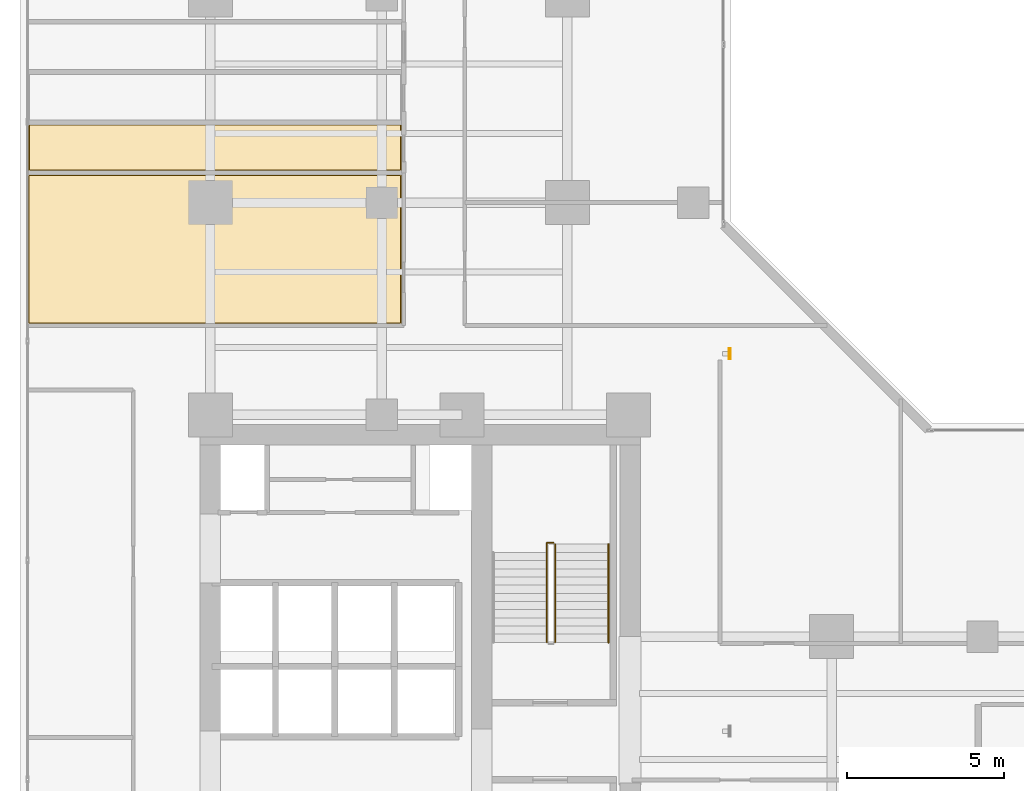
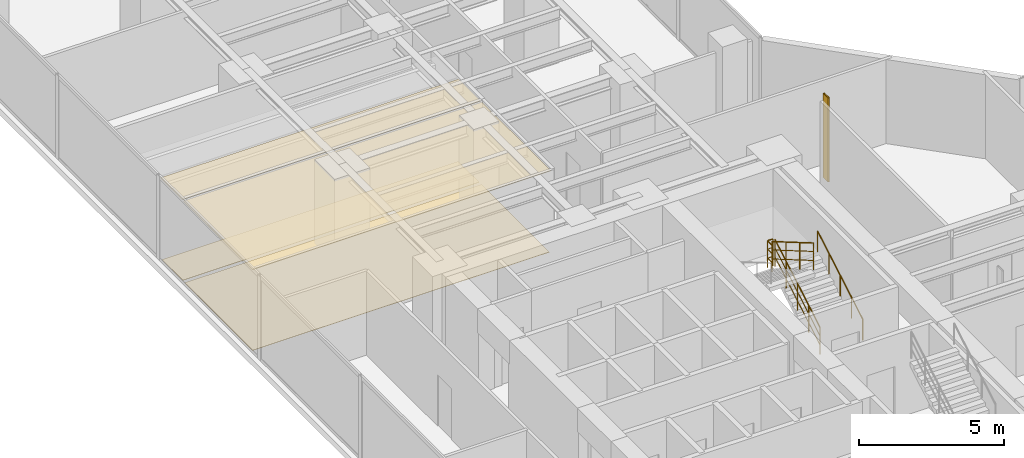
# One storey, part 24 of 26: 4 coverings, 4 railings, 1 shading device.
"""IFC4 building model written with IfcOpenShell, lengths in metres."""

import ifcopenshell
import ifcopenshell.guid

model = None  # the IFC model being written
_history = None  # IfcOwnerHistory: only IFC2X3 demands one
_inside = {}  # id of a spatial element -> (the spatial element, [elements in it])
_under = {}  # id of a project, library or spatial element -> (it, [spatial elements below it])
_declared = {}  # id of a project -> (the project, [libraries it declares])
_typed = {}  # id of a type object -> (the type object, [elements of that type])
_made_of = {}  # id of a material, layer set ... -> (it, [elements and type objects made of it])


def new_model(schema):
    """Start an empty IFC model of exactly this schema.

    Asked for "IFC4X3", IfcOpenShell would pick the latest addendum, in which some entities
    have other attributes; the version numbers below select the first issue.
    IFC2X3 requires an IfcOwnerHistory on every rooted entity: one is made here for all.
    """
    global model, _history
    if schema == "IFC4X3":
        model = ifcopenshell.file(schema_version=(4, 3, 0, 0))
    else:
        model = ifcopenshell.file(schema=schema)
    _inside.clear()
    _under.clear()
    _declared.clear()
    _typed.clear()
    _made_of.clear()
    _history = None
    if model.schema == "IFC2X3":
        org = make("IfcOrganization", Name="unknown")
        user = make(
            "IfcPersonAndOrganization",
            ThePerson=make("IfcPerson", FamilyName="unknown"),
            TheOrganization=org,
        )
        app = make(
            "IfcApplication",
            ApplicationDeveloper=org,
            Version="unknown",
            ApplicationFullName="unknown",
            ApplicationIdentifier="unknown",
        )
        _history = make(
            "IfcOwnerHistory",
            OwningUser=user,
            OwningApplication=app,
            ChangeAction="ADDED",
            CreationDate=0,
        )
    return model


def make(cls, **values):
    """One entity of the class cls with the attributes given. An attribute that is None is left unset."""
    return model.create_entity(
        cls, **{name: value for name, value in values.items() if value is not None}
    )


def rooted(cls, **values):
    """An entity with a GlobalId (a new one), such as an element, a storey or a relation."""
    return make(cls, GlobalId=ifcopenshell.guid.new(), OwnerHistory=_history, **values)


def si_unit(unit_type, name, prefix=None):
    """IfcSIUnit, for example si_unit("LENGTHUNIT", "METRE", prefix="MILLI")."""
    return make("IfcSIUnit", UnitType=unit_type, Prefix=prefix, Name=name)


def assignment(units):
    """IfcUnitAssignment: the units of a project."""
    return None if units is None else make("IfcUnitAssignment", Units=units)


def point(xyz):
    """IfcCartesianPoint."""
    return None if xyz is None else make("IfcCartesianPoint", Coordinates=xyz)


def direction(xyz):
    """IfcDirection."""
    return None if xyz is None else make("IfcDirection", DirectionRatios=xyz)


def frame(location, z_axis=None, x_axis=None):
    """IfcAxis2Placement3D, a coordinate frame: its origin and axes. An axis left out is left unset."""
    return make(
        "IfcAxis2Placement3D",
        Location=point(location),
        Axis=direction(z_axis),
        RefDirection=direction(x_axis),
    )


def frame_2d(location, x_axis=None):
    """IfcAxis2Placement2D, a coordinate frame in the plane: its origin and x axis."""
    return make(
        "IfcAxis2Placement2D", Location=point(location), RefDirection=direction(x_axis)
    )


def origin():
    """The frame at (0, 0, 0) with its axes left unset."""
    return frame((0.0, 0.0, 0.0))


def origin_2d():
    """The frame at (0, 0) in the plane with its x axis left unset."""
    return frame_2d((0.0, 0.0))


def place(relative_to, where):
    """IfcLocalPlacement: puts the frame where relative to a parent placement (None: the world)."""
    return make(
        "IfcLocalPlacement", PlacementRelTo=relative_to, RelativePlacement=where
    )


def context(
    kind, dimensions, precision=None, world=None, true_north=None, identifier=None
):
    """IfcGeometricRepresentationContext, for example the 3D "Model" context."""
    return make(
        "IfcGeometricRepresentationContext",
        ContextIdentifier=identifier,
        ContextType=kind,
        CoordinateSpaceDimension=dimensions,
        Precision=precision,
        WorldCoordinateSystem=world,
        TrueNorth=true_north,
    )


def subcontext(parent, identifier, kind, view, scale=None):
    """IfcGeometricRepresentationSubContext, for example "Body" below "Model"."""
    return make(
        "IfcGeometricRepresentationSubContext",
        ContextIdentifier=identifier,
        ContextType=kind,
        ParentContext=parent,
        TargetScale=scale,
        TargetView=view,
    )


def project(units=None, contexts=None):
    """IfcProject with its units and contexts."""
    return rooted(
        "IfcProject",
        Name="project",
        RepresentationContexts=contexts,
        UnitsInContext=assignment(units),
    )


def spatial(cls, under=None, at=None, **own):
    """A site, building, storey or space (cls), placed at a placement, below another one or the project."""
    s = rooted(cls, ObjectPlacement=at, **own)
    if under is not None:
        _under.setdefault(under.id(), (under, []))[1].append(s)
    return s


def polyline(points):
    """IfcPolyline through the points."""
    return make("IfcPolyline", Points=[point(p) for p in points])


def profile(cls, at=None, kind="AREA", **sizes):
    """A parametric profile (cls). Its sizes go by their IFC names, for example OverallWidth=200.0."""
    return make(cls, ProfileType=kind, Position=at, **sizes)


def hollow_rectangle(**sizes):
    """IfcRectangleHollowProfileDef."""
    return profile("IfcRectangleHollowProfileDef", **sizes)


def circle(**sizes):
    """IfcCircleProfileDef."""
    return profile("IfcCircleProfileDef", **sizes)


def outline(outer, holes=None, kind="AREA"):
    """IfcArbitraryClosedProfileDef: a profile drawn as a closed curve; with holes, ...WithVoids."""
    if holes is None:
        return make("IfcArbitraryClosedProfileDef", ProfileType=kind, OuterCurve=outer)
    return make(
        "IfcArbitraryProfileDefWithVoids",
        ProfileType=kind,
        OuterCurve=outer,
        InnerCurves=holes,
    )


def extrude(swept, where, along, depth):
    """IfcExtrudedAreaSolid: the profile swept, set in the frame where, extruded along a direction by depth."""
    return make(
        "IfcExtrudedAreaSolid",
        SweptArea=swept,
        Position=where,
        ExtrudedDirection=direction(along),
        Depth=depth,
    )


def shape(context_of_items, identifier, shape_type, items):
    """IfcShapeRepresentation: the items that make up one representation, for example the "Body"."""
    return make(
        "IfcShapeRepresentation",
        ContextOfItems=context_of_items,
        RepresentationIdentifier=identifier,
        RepresentationType=shape_type,
        Items=items,
    )


def material(Name=None, Category=None):
    """IfcMaterial."""
    return make("IfcMaterial", Name=Name, Category=Category)


def layer(
    of_material, thickness, ventilated=None, Name=None, Category=None, Priority=None
):
    """IfcMaterialLayer: one layer of a wall or slab, of a material (None: an air gap)."""
    return make(
        "IfcMaterialLayer",
        Material=of_material,
        LayerThickness=thickness,
        IsVentilated=ventilated,
        Name=Name,
        Category=Category,
        Priority=Priority,
    )


def layer_set(layers, Name=None):
    """IfcMaterialLayerSet."""
    return make("IfcMaterialLayerSet", MaterialLayers=layers, LayerSetName=Name)


def material_profile(
    of_material, cross_section, Name=None, Category=None, Priority=None
):
    """IfcMaterialProfile: a cross section and its material."""
    return make(
        "IfcMaterialProfile",
        Name=Name,
        Material=of_material,
        Profile=cross_section,
        Priority=Priority,
        Category=Category,
    )


def profile_set(profiles, Name=None, composite=None):
    """IfcMaterialProfileSet."""
    return make(
        "IfcMaterialProfileSet",
        Name=Name,
        MaterialProfiles=profiles,
        CompositeProfile=composite,
    )


def made_of(thing, what):
    """Note that an element or type object is made of a material, layer set ...; save() writes the relation."""
    if what is not None:
        _made_of.setdefault(what.id(), (what, []))[1].append(thing)
    return thing


def type_object(cls, material=None, **own):
    """A type object (cls), such as IfcWallType, which elements share."""
    return made_of(rooted(cls, **own), material)


def element(
    cls,
    number,
    at=None,
    inside=None,
    cuts=None,
    type_object=None,
    material=None,
    context=None,
    identifier="Body",
    shape_type=None,
    held_by="IfcProductDefinitionShape",
    body=None,
    shapes=None,
    **own,
):
    """One element of the class cls, such as IfcWall. Its Tag is "e" and its number.

    at: its placement. inside: the storey or other place that contains it. cuts: it is an
    opening in that element (IfcRelVoidsElement). A single representation is given by context,
    identifier, shape_type and body (its items); several are given by shapes. held_by: the class
    of the entity that holds the representations. save() writes the other relations.
    """
    e = rooted(cls, Tag="e%d" % number, ObjectPlacement=at, **own)
    if body is not None:
        shapes = [shape(context, identifier, shape_type, body)]
    if shapes is not None:
        e.Representation = make(held_by, Representations=shapes)
    if inside is not None:
        _inside.setdefault(inside.id(), (inside, []))[1].append(e)
    if cuts is not None:
        rooted(
            "IfcRelVoidsElement", RelatingBuildingElement=cuts, RelatedOpeningElement=e
        )
    if type_object is not None:
        _typed.setdefault(type_object.id(), (type_object, []))[1].append(e)
    return made_of(e, material)


def aggregate(whole, parts):
    """IfcRelAggregates: a whole, such as a stair, and the parts it consists of."""
    return rooted("IfcRelAggregates", RelatingObject=whole, RelatedObjects=parts)


def save(model, path):
    """Write the relations noted so far, then the file.

    IfcRelAggregates (storeys below a building ...), IfcRelContainedInSpatialStructure (elements
    in a storey), IfcRelDefinesByType, IfcRelAssociatesMaterial and IfcRelDeclares: one each for
    every whole, place, type object, material and project.
    """
    for whole, parts in _under.values():
        aggregate(whole, parts)
    for where, things in _inside.values():
        rooted(
            "IfcRelContainedInSpatialStructure",
            RelatedElements=things,
            RelatingStructure=where,
        )
    for kind, things in _typed.values():
        rooted("IfcRelDefinesByType", RelatedObjects=things, RelatingType=kind)
    for what, things in _made_of.values():
        rooted("IfcRelAssociatesMaterial", RelatedObjects=things, RelatingMaterial=what)
    for by, libraries in _declared.values():
        rooted("IfcRelDeclares", RelatingContext=by, RelatedDefinitions=libraries)
    model.write(path)


model = new_model("IFC4")

# Units and contexts
model_context = context("Model", 3, precision=1e-05, world=origin(), true_north=direction((0.0, 1.0)))
body_context = subcontext(model_context, "Body", "Model", "MODEL_VIEW")
ifc_project = project(units=[si_unit("LENGTHUNIT", "METRE"), si_unit("AREAUNIT", "SQUARE_METRE"), si_unit("VOLUMEUNIT", "CUBIC_METRE"), si_unit("PLANEANGLEUNIT", "RADIAN"), si_unit("MASSUNIT", "GRAM", prefix="KILO")], contexts=[model_context])

# Site, building, storey
site_placement = place(None, origin())
site = spatial("IfcSite", under=ifc_project, at=site_placement, CompositionType="ELEMENT")
building_placement = place(site_placement, origin())
building = spatial("IfcBuilding", under=site, at=building_placement, Name="Kolvaren Waterfront Exchange", CompositionType="ELEMENT")
storey_placement = place(building_placement, frame((0.0, 0.0, 87.89990234375)))
storey = spatial("IfcBuildingStorey", under=building, at=storey_placement, Name="L22", CompositionType="ELEMENT", Elevation=87.89990234375)

# Coverings
ifc_material_1 = material(Name="Mineral fibre acoustic ceiling tile")
ifc_layer_1 = layer(ifc_material_1, 0.02490234375, Name="Mineral fibre acoustic ceiling tile")
ifc_layer_set_1 = layer_set([ifc_layer_1], Name="Mineral fibre acoustic ceiling tile")
covering_type_1 = type_object("IfcCoveringType", Name="ARC-CEIL-ACOUSTIC-25", PredefinedType="CEILING", material=ifc_layer_set_1)
covering_1_placement = place(storey_placement, frame((0.0, 0.0, 3.425048828125)))
element("IfcCovering", 1, at=covering_1_placement, inside=storey, type_object=covering_type_1, Name="L22 acoustic suspended ceiling 1", PredefinedType="CEILING", context=body_context, shape_type="SweptSolid", body=[
    extrude(outline(polyline([(13.534912109375, 27.344970703125), (13.534912109375, 32.10498046875), (1.64501953125, 32.10498046875), (1.64501953125, 27.344970703125), (13.534912109375, 27.344970703125)])), origin(), (0.0, 0.0, 1.0), 0.025146484375),
])
covering_2_placement = place(storey_placement, frame((0.0, 0.0, 3.425048828125)))
element("IfcCovering", 2, at=covering_2_placement, inside=storey, type_object=covering_type_1, Name="L22 acoustic suspended ceiling 2", PredefinedType="CEILING", context=body_context, shape_type="SweptSolid", body=[
    extrude(outline(polyline([(13.534912109375, 32.195068359375), (13.534912109375, 33.705078125), (1.6650390625, 33.705078125), (1.6650390625, 32.195068359375), (13.534912109375, 32.195068359375)])), origin(), (0.0, 0.0, 1.0), 0.025146484375),
])

# Shading device
ifc_material_2 = material(Name="Anodised bronze aluminium 6063-T6", Category="aluminium")
ifc_material_profile = material_profile(ifc_material_2, hollow_rectangle(XDim=0.06005859375, YDim=0.35009765625, WallThickness=0.0048828125, at=origin_2d()), Name="BRZ-FIN-350x60x5")
ifc_profile_set = profile_set([ifc_material_profile], Name="Anodised bronze aluminium 6063-T6")
shading_device_type = type_object("IfcShadingDeviceType", Name="ARC-FIN-350", PredefinedType="USERDEFINED", material=ifc_profile_set)
shading_device_placement = place(storey_placement, frame((23.9599609375, 26.39990234375, 0.0), z_axis=(0.0, 0.0, 1.0), x_axis=(1.0, 0.0, 0.0)))
element("IfcShadingDevice", 3, at=shading_device_placement, inside=storey, type_object=shading_device_type, Name="L22 anodised bronze solar shading fin FIN-L22-E2", ObjectType="SOLAR FIN", PredefinedType="USERDEFINED", context=body_context, shape_type="SweptSolid", body=[
    extrude(hollow_rectangle(XDim=0.06005859375, YDim=0.35009765625, WallThickness=0.0048828125, at=origin_2d()), origin(), (0.0, 0.0, 1.0), 3.5400390625),
])

# Coverings
ifc_material_3 = material(Name="Slip-resistant porcelain tile")
ifc_layer_2 = layer(ifc_material_3, 0.014892578125, Name="Slip-resistant porcelain tile")
ifc_layer_set_2 = layer_set([ifc_layer_2], Name="Slip-resistant porcelain tile")
covering_type_2 = type_object("IfcCoveringType", Name="ARC-FLR-PORC-15", PredefinedType="FLOORING", material=ifc_layer_set_2)
covering_3_placement = place(storey_placement, origin())
element("IfcCovering", 4, at=covering_3_placement, inside=storey, type_object=covering_type_2, Name="L22 floor finish 1", PredefinedType="FLOORING", context=body_context, shape_type="SweptSolid", body=[
    extrude(outline(polyline([(1.679931640625, 32.070068359375), (1.679931640625, 27.3798828125), (13.5, 27.3798828125), (13.5, 32.070068359375), (1.679931640625, 32.070068359375)])), origin(), (0.0, 0.0, 1.0), 0.01513671875),
])
covering_4_placement = place(storey_placement, origin())
element("IfcCovering", 5, at=covering_4_placement, inside=storey, type_object=covering_type_2, Name="L22 floor finish 2", PredefinedType="FLOORING", context=body_context, shape_type="SweptSolid", body=[
    extrude(outline(polyline([(1.699951171875, 33.669921875), (1.699951171875, 32.22998046875), (13.5, 32.22998046875), (13.5, 33.669921875), (1.699951171875, 33.669921875)])), origin(), (0.0, 0.0, 1.0), 0.01513671875),
])

# Railings
ifc_material_4 = material(Name="Stainless steel 316", Category="steel")
railing_type_1 = type_object("IfcRailingType", Name="ARC-GUARD-STAIR", PredefinedType="GUARDRAIL", material=ifc_material_4)
railing_1_placement = place(storey_placement, frame((18.409912109375, 17.219970703125, 0.152099609375)))
element("IfcRailing", 6, at=railing_1_placement, inside=storey, type_object=railing_type_1, Name="L22 ST2 stair guard 1", PredefinedType="GUARDRAIL", context=body_context, shape_type="SweptSolid", body=[
    extrude(circle(Radius=0.02392578125, at=origin_2d()), frame((0.0, 0.0, 1.1259765625), z_axis=(0.0, 0.86330811405, 0.504677223793), x_axis=(-1.0, 0.0, 0.0)), (0.0, 0.0, 1.0), 3.6142578125),
    extrude(circle(Radius=0.01611328125, at=origin_2d()), frame((0.0, 0.0, 0.390869140625), z_axis=(0.0, 0.86330811405, 0.504677223793), x_axis=(-1.0, 0.0, 0.0)), (0.0, 0.0, 1.0), 3.6142578125),
    extrude(circle(Radius=0.01611328125, at=origin_2d()), frame((0.0, 0.0, 0.7705078125), z_axis=(0.0, 0.86330811405, 0.504677223793), x_axis=(-1.0, 0.0, 0.0)), (0.0, 0.0, 1.0), 3.6142578125),
    extrude(circle(Radius=0.02099609375, at=origin_2d()), origin(), (0.0, 0.0, 1.0), 1.101806640625),
    extrude(circle(Radius=0.02099609375, at=origin_2d()), frame((0.0, 0.780029296875, 0.4560546875)), (0.0, 0.0, 1.0), 1.101806640625),
    extrude(circle(Radius=0.02099609375, at=origin_2d()), frame((0.0, 1.56005859375, 0.912109375)), (0.0, 0.0, 1.0), 1.101806640625),
    extrude(circle(Radius=0.02099609375, at=origin_2d()), frame((0.0, 2.340087890625, 1.367919921875)), (0.0, 0.0, 1.0), 1.101806640625),
    extrude(circle(Radius=0.02099609375, at=origin_2d()), frame((0.0, 3.1201171875, 1.823974609375)), (0.0, 0.0, 1.0), 1.101806640625),
])
railing_2_placement = place(storey_placement, frame((18.360107421875, 20.389892578125, 1.97607421875)))
element("IfcRailing", 7, at=railing_2_placement, inside=storey, type_object=railing_type_1, Name="L22 ST2 stair guard 2", PredefinedType="GUARDRAIL", context=body_context, shape_type="SweptSolid", body=[
    extrude(circle(Radius=0.02392578125, at=origin_2d()), frame((0.0, 0.0, 1.1259765625), z_axis=(-1.0, 0.0, 0.0), x_axis=(0.0, -1.0, 0.0)), (0.0, 0.0, 1.0), 0.210205078125),
    extrude(circle(Radius=0.01611328125, at=origin_2d()), frame((0.0, 0.0, 0.390869140625), z_axis=(-1.0, 0.0, 0.0), x_axis=(0.0, -1.0, 0.0)), (0.0, 0.0, 1.0), 0.210205078125),
    extrude(circle(Radius=0.01611328125, at=origin_2d()), frame((0.0, 0.0, 0.7705078125), z_axis=(-1.0, 0.0, 0.0), x_axis=(0.0, -1.0, 0.0)), (0.0, 0.0, 1.0), 0.210205078125),
    extrude(circle(Radius=0.02392578125, at=origin_2d()), frame((-0.210205078125, 0.0, 1.1259765625), z_axis=(0.0, -1.0, 0.0), x_axis=(1.0, 0.0, 0.0)), (0.0, 0.0, 1.0), 0.309814453125),
    extrude(circle(Radius=0.01611328125, at=origin_2d()), frame((-0.210205078125, 0.0, 0.390869140625), z_axis=(0.0, -1.0, 0.0), x_axis=(1.0, 0.0, 0.0)), (0.0, 0.0, 1.0), 0.309814453125),
    extrude(circle(Radius=0.01611328125, at=origin_2d()), frame((-0.210205078125, 0.0, 0.7705078125), z_axis=(0.0, -1.0, 0.0), x_axis=(1.0, 0.0, 0.0)), (0.0, 0.0, 1.0), 0.309814453125),
    extrude(circle(Radius=0.02099609375, at=origin_2d()), origin(), (0.0, 0.0, 1.0), 1.101806640625),
    extrude(circle(Radius=0.02099609375, at=origin_2d()), frame((-0.210205078125, 0.0, 0.0)), (0.0, 0.0, 1.0), 1.101806640625),
    extrude(circle(Radius=0.02099609375, at=origin_2d()), frame((-0.210205078125, -0.309814453125, 0.0)), (0.0, 0.0, 1.0), 1.101806640625),
])
railing_3_placement = place(storey_placement, frame((18.14990234375, 20.080078125, 2.128173828125)))
element("IfcRailing", 8, at=railing_3_placement, inside=storey, type_object=railing_type_1, Name="L22 ST2 stair guard 3", PredefinedType="GUARDRAIL", context=body_context, shape_type="SweptSolid", body=[
    extrude(circle(Radius=0.02392578125, at=origin_2d()), frame((0.0, 0.0, 1.1259765625), z_axis=(0.0, -0.863321491973, 0.504654338629), x_axis=(1.0, 0.0, 0.0)), (0.0, 0.0, 1.0), 3.31298828125),
    extrude(circle(Radius=0.01611328125, at=origin_2d()), frame((0.0, 0.0, 0.390869140625), z_axis=(0.0, -0.863321491973, 0.504654338629), x_axis=(1.0, 0.0, 0.0)), (0.0, 0.0, 1.0), 3.31298828125),
    extrude(circle(Radius=0.01611328125, at=origin_2d()), frame((0.0, 0.0, 0.7705078125), z_axis=(0.0, -0.863321491973, 0.504654338629), x_axis=(1.0, 0.0, 0.0)), (0.0, 0.0, 1.0), 3.31298828125),
    extrude(circle(Radius=0.02099609375, at=origin_2d()), origin(), (0.0, 0.0, 1.0), 1.101806640625),
    extrude(circle(Radius=0.02099609375, at=origin_2d()), frame((0.0, -0.953369140625, 0.557373046875)), (0.0, 0.0, 1.0), 1.101806640625),
    extrude(circle(Radius=0.02099609375, at=origin_2d()), frame((0.0, -1.90673828125, 1.114501953125)), (0.0, 0.0, 1.0), 1.101806640625),
    extrude(circle(Radius=0.02099609375, at=origin_2d()), frame((0.0, -2.860107421875, 1.671875)), (0.0, 0.0, 1.0), 1.101806640625),
])
railing_type_2 = type_object("IfcRailingType", Name="ARC-HANDRAIL-900", PredefinedType="HANDRAIL", material=ifc_material_4)
railing_4_placement = place(storey_placement, frame((20.110107421875, 17.219970703125, 0.152099609375)))
element("IfcRailing", 9, at=railing_4_placement, inside=storey, type_object=railing_type_2, Name="L22 ST2 stair handrail 1", PredefinedType="HANDRAIL", context=body_context, shape_type="SweptSolid", body=[
    extrude(circle(Radius=0.02392578125, at=origin_2d()), frame((0.0, 0.0, 0.8759765625), z_axis=(0.0, 0.86330811405, 0.504677223793), x_axis=(-1.0, 0.0, 0.0)), (0.0, 0.0, 1.0), 3.6142578125),
    extrude(circle(Radius=0.02099609375, at=origin_2d()), origin(), (0.0, 0.0, 1.0), 0.851806640625),
    extrude(circle(Radius=0.02099609375, at=origin_2d()), frame((0.0, 0.780029296875, 0.4560546875)), (0.0, 0.0, 1.0), 0.851806640625),
    extrude(circle(Radius=0.02099609375, at=origin_2d()), frame((0.0, 1.56005859375, 0.912109375)), (0.0, 0.0, 1.0), 0.851806640625),
    extrude(circle(Radius=0.02099609375, at=origin_2d()), frame((0.0, 2.340087890625, 1.367919921875)), (0.0, 0.0, 1.0), 0.851806640625),
    extrude(circle(Radius=0.02099609375, at=origin_2d()), frame((0.0, 3.1201171875, 1.823974609375)), (0.0, 0.0, 1.0), 0.851806640625),
])

save(model, "model.ifc")
